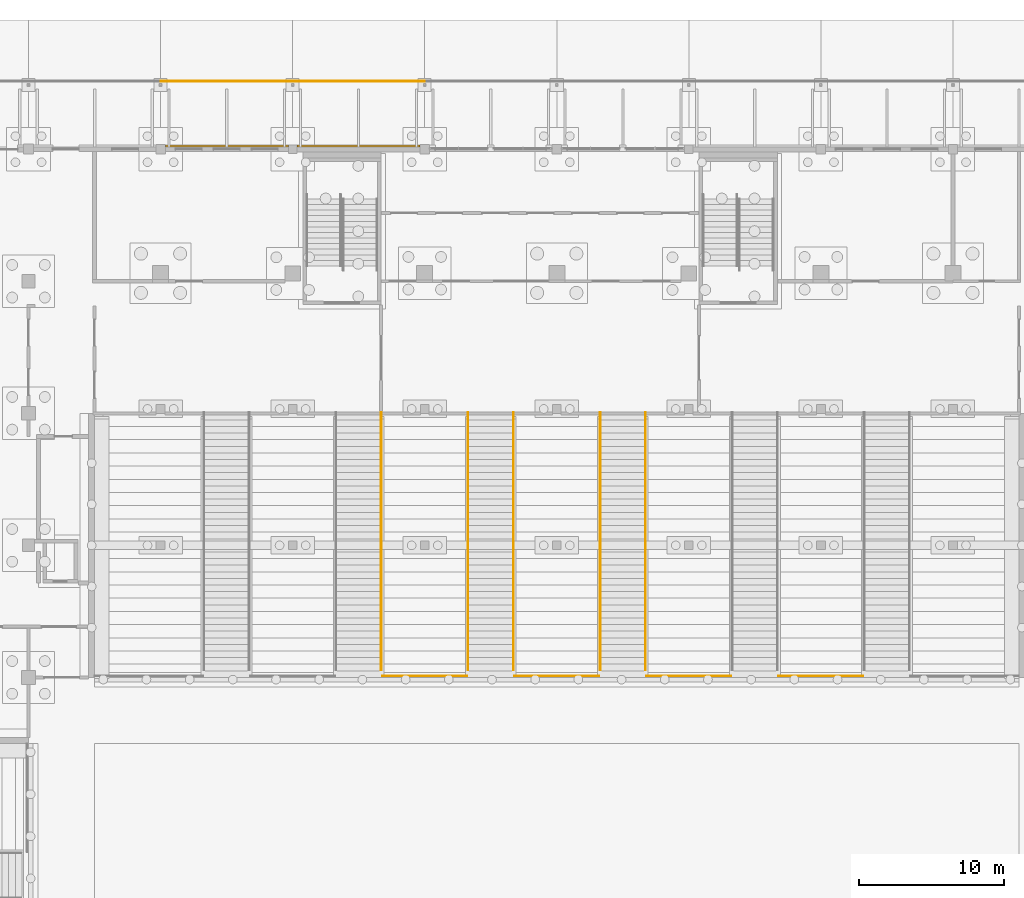
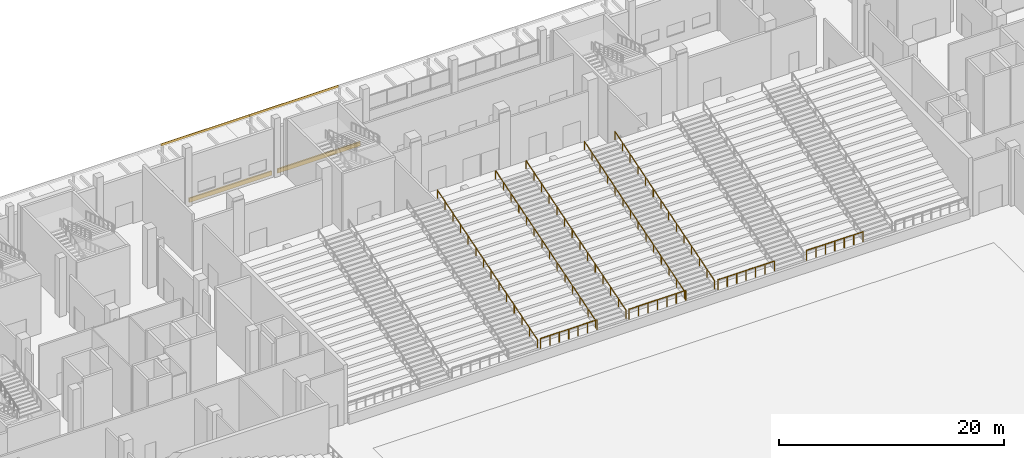
# One storey, part 113 of 129: 9 railings, 4 coverings.
"""IFC4 building model written with IfcOpenShell, lengths in metres."""

from ifc_helpers import new_model, si_unit, direction, frame, origin, origin_2d, place, context, subcontext, project, spatial, rectangle, circle, extrude, material, layer, layer_set, type_object, element, save


model = new_model("IFC4")

# Units and contexts
model_context = context("Model", 3, precision=1e-05, world=origin(), true_north=direction((0.0, 1.0)))
body_context = subcontext(model_context, "Body", "Model", "MODEL_VIEW")
ifc_project = project(units=[si_unit("LENGTHUNIT", "METRE"), si_unit("AREAUNIT", "SQUARE_METRE"), si_unit("VOLUMEUNIT", "CUBIC_METRE"), si_unit("PLANEANGLEUNIT", "RADIAN"), si_unit("MASSUNIT", "GRAM", prefix="KILO")], contexts=[model_context])

# Site, building, storey
site_placement = place(None, origin())
site = spatial("IfcSite", under=ifc_project, at=site_placement, CompositionType="ELEMENT")
building_placement = place(site_placement, origin())
building = spatial("IfcBuilding", under=site, at=building_placement, Name="Shirokan Park Arena", CompositionType="ELEMENT")
storey_placement = place(building_placement, origin())
storey = spatial("IfcBuildingStorey", under=building, at=storey_placement, Name="L00", CompositionType="ELEMENT", Elevation=0.0)

# Railings
ifc_material_1 = material(Name="Stainless steel", Category="steel")
railing_type_1 = type_object("IfcRailingType", Name="Aisle handrail 900", PredefinedType="HANDRAIL", material=ifc_material_1)
railing_1_placement = place(storey_placement, frame((60.7099609375, 73.304931640625, 0.909912109375)))
element("IfcRailing", 1, at=railing_1_placement, inside=storey, type_object=railing_type_1, Name="Handrail vomitory stair N2 lower", PredefinedType="HANDRAIL", context=body_context, shape_type="SweptSolid", body=[
    extrude(circle(Radius=0.02490234375, at=origin_2d()), frame((0.0, 0.0, 0.89013671875), z_axis=(0.0, 0.955745737905, 0.294193957241), x_axis=(-1.0, 0.0, 0.0)), (0.0, 0.0, 1.0), 1.42822265625),
    extrude(circle(Radius=0.02490234375, at=origin_2d()), frame((0.0, 1.364990234375, 1.310546875), z_axis=(0.0, 0.95579379257, 0.294037797035), x_axis=(-1.0, 0.0, 0.0)), (0.0, 0.0, 1.0), 1.42822265625),
    extrude(circle(Radius=0.02490234375, at=origin_2d()), frame((0.0, 2.72998046875, 1.73046875), z_axis=(0.0, 0.95579379257, 0.294037797035), x_axis=(-1.0, 0.0, 0.0)), (0.0, 0.0, 1.0), 1.42822265625),
    extrude(circle(Radius=0.02490234375, at=origin_2d()), frame((0.0, 4.094970703125, 2.150390625), z_axis=(0.0, 0.955745737905, 0.294193957241), x_axis=(-1.0, 0.0, 0.0)), (0.0, 0.0, 1.0), 1.42822265625),
    extrude(circle(Radius=0.02490234375, at=origin_2d()), frame((0.0, 5.4599609375, 2.5703125), z_axis=(0.0, 0.95579379257, 0.294037797035), x_axis=(-1.0, 0.0, 0.0)), (0.0, 0.0, 1.0), 1.42822265625),
    extrude(circle(Radius=0.02490234375, at=origin_2d()), frame((0.0, 6.824951171875, 2.990234375), z_axis=(0.0, 0.955808569173, 0.293989760189), x_axis=(-1.0, 0.0, 0.0)), (0.0, 0.0, 1.0), 1.428466796875),
    extrude(circle(Radius=0.02490234375, at=origin_2d()), frame((0.0, 8.190185546875, 3.41015625), z_axis=(0.0, 0.955745737905, 0.294193957241), x_axis=(-1.0, 0.0, 0.0)), (0.0, 0.0, 1.0), 1.42822265625),
    extrude(circle(Radius=0.02490234375, at=origin_2d()), frame((0.0, 9.55517578125, 3.83056640625), z_axis=(0.0, 0.95579379257, 0.294037797035), x_axis=(-1.0, 0.0, 0.0)), (0.0, 0.0, 1.0), 1.42822265625),
    extrude(circle(Radius=0.02490234375, at=origin_2d()), frame((0.0, 10.920166015625, 4.25048828125), z_axis=(0.0, 0.95579379257, 0.294037797035), x_axis=(-1.0, 0.0, 0.0)), (0.0, 0.0, 1.0), 1.42822265625),
    extrude(circle(Radius=0.02490234375, at=origin_2d()), frame((0.0, 12.28515625, 4.67041015625), z_axis=(0.0, 0.955745737905, 0.294193957241), x_axis=(-1.0, 0.0, 0.0)), (0.0, 0.0, 1.0), 1.42822265625),
    extrude(circle(Radius=0.02490234375, at=origin_2d()), frame((0.0, 13.650146484375, 5.09033203125), z_axis=(0.0, 0.95579379257, 0.294037797035), x_axis=(-1.0, 0.0, 0.0)), (0.0, 0.0, 1.0), 1.42822265625),
    extrude(circle(Radius=0.02490234375, at=origin_2d()), frame((0.0, 15.01513671875, 5.51025390625), z_axis=(0.0, 0.95579379257, 0.294037797035), x_axis=(-1.0, 0.0, 0.0)), (0.0, 0.0, 1.0), 1.42822265625),
    extrude(circle(Radius=0.02490234375, at=origin_2d()), frame((0.0, 16.380126953125, 5.93017578125), z_axis=(0.0, 0.955745737905, 0.294193957241), x_axis=(-1.0, 0.0, 0.0)), (0.0, 0.0, 1.0), 1.42822265625),
    extrude(circle(Radius=0.02490234375, at=origin_2d()), origin(), (0.0, 0.0, 1.0), 0.865234375),
    extrude(circle(Radius=0.02490234375, at=origin_2d()), frame((0.0, 1.364990234375, 0.420166015625)), (0.0, 0.0, 1.0), 0.865234375),
    extrude(circle(Radius=0.02490234375, at=origin_2d()), frame((0.0, 2.72998046875, 0.840087890625)), (0.0, 0.0, 1.0), 0.865234375),
    extrude(circle(Radius=0.02490234375, at=origin_2d()), frame((0.0, 4.094970703125, 1.260009765625)), (0.0, 0.0, 1.0), 0.865234375),
    extrude(circle(Radius=0.02490234375, at=origin_2d()), frame((0.0, 5.4599609375, 1.68017578125)), (0.0, 0.0, 1.0), 0.865234375),
    extrude(circle(Radius=0.02490234375, at=origin_2d()), frame((0.0, 6.824951171875, 2.10009765625)), (0.0, 0.0, 1.0), 0.865234375),
    extrude(circle(Radius=0.02490234375, at=origin_2d()), frame((0.0, 8.190185546875, 2.52001953125)), (0.0, 0.0, 1.0), 0.865234375),
    extrude(circle(Radius=0.02490234375, at=origin_2d()), frame((0.0, 9.55517578125, 2.940185546875)), (0.0, 0.0, 1.0), 0.865234375),
    extrude(circle(Radius=0.02490234375, at=origin_2d()), frame((0.0, 10.920166015625, 3.360107421875)), (0.0, 0.0, 1.0), 0.865234375),
    extrude(circle(Radius=0.02490234375, at=origin_2d()), frame((0.0, 12.28515625, 3.780029296875)), (0.0, 0.0, 1.0), 0.865234375),
    extrude(circle(Radius=0.02490234375, at=origin_2d()), frame((0.0, 13.650146484375, 4.2001953125)), (0.0, 0.0, 1.0), 0.865234375),
    extrude(circle(Radius=0.02490234375, at=origin_2d()), frame((0.0, 15.01513671875, 4.6201171875)), (0.0, 0.0, 1.0), 0.865234375),
    extrude(circle(Radius=0.02490234375, at=origin_2d()), frame((0.0, 16.380126953125, 5.0400390625)), (0.0, 0.0, 1.0), 0.865234375),
    extrude(circle(Radius=0.02490234375, at=origin_2d()), frame((0.0, 17.7451171875, 5.460205078125)), (0.0, 0.0, 1.0), 0.865234375),
])
railing_2_placement = place(storey_placement, frame((66.68994140625, 73.304931640625, 0.909912109375)))
element("IfcRailing", 2, at=railing_2_placement, inside=storey, type_object=railing_type_1, Name="Handrail vomitory stair N3 lower", PredefinedType="HANDRAIL", context=body_context, shape_type="SweptSolid", body=[
    extrude(circle(Radius=0.02490234375, at=origin_2d()), frame((0.0, 0.0, 0.89013671875), z_axis=(0.0, 0.955745737905, 0.294193957241), x_axis=(-1.0, 0.0, 0.0)), (0.0, 0.0, 1.0), 1.42822265625),
    extrude(circle(Radius=0.02490234375, at=origin_2d()), frame((0.0, 1.364990234375, 1.310546875), z_axis=(0.0, 0.95579379257, 0.294037797035), x_axis=(-1.0, 0.0, 0.0)), (0.0, 0.0, 1.0), 1.42822265625),
    extrude(circle(Radius=0.02490234375, at=origin_2d()), frame((0.0, 2.72998046875, 1.73046875), z_axis=(0.0, 0.95579379257, 0.294037797035), x_axis=(-1.0, 0.0, 0.0)), (0.0, 0.0, 1.0), 1.42822265625),
    extrude(circle(Radius=0.02490234375, at=origin_2d()), frame((0.0, 4.094970703125, 2.150390625), z_axis=(0.0, 0.955745737905, 0.294193957241), x_axis=(-1.0, 0.0, 0.0)), (0.0, 0.0, 1.0), 1.42822265625),
    extrude(circle(Radius=0.02490234375, at=origin_2d()), frame((0.0, 5.4599609375, 2.5703125), z_axis=(0.0, 0.95579379257, 0.294037797035), x_axis=(-1.0, 0.0, 0.0)), (0.0, 0.0, 1.0), 1.42822265625),
    extrude(circle(Radius=0.02490234375, at=origin_2d()), frame((0.0, 6.824951171875, 2.990234375), z_axis=(0.0, 0.955808569173, 0.293989760189), x_axis=(-1.0, 0.0, 0.0)), (0.0, 0.0, 1.0), 1.428466796875),
    extrude(circle(Radius=0.02490234375, at=origin_2d()), frame((0.0, 8.190185546875, 3.41015625), z_axis=(0.0, 0.955745737905, 0.294193957241), x_axis=(-1.0, 0.0, 0.0)), (0.0, 0.0, 1.0), 1.42822265625),
    extrude(circle(Radius=0.02490234375, at=origin_2d()), frame((0.0, 9.55517578125, 3.83056640625), z_axis=(0.0, 0.95579379257, 0.294037797035), x_axis=(-1.0, 0.0, 0.0)), (0.0, 0.0, 1.0), 1.42822265625),
    extrude(circle(Radius=0.02490234375, at=origin_2d()), frame((0.0, 10.920166015625, 4.25048828125), z_axis=(0.0, 0.95579379257, 0.294037797035), x_axis=(-1.0, 0.0, 0.0)), (0.0, 0.0, 1.0), 1.42822265625),
    extrude(circle(Radius=0.02490234375, at=origin_2d()), frame((0.0, 12.28515625, 4.67041015625), z_axis=(0.0, 0.955745737905, 0.294193957241), x_axis=(-1.0, 0.0, 0.0)), (0.0, 0.0, 1.0), 1.42822265625),
    extrude(circle(Radius=0.02490234375, at=origin_2d()), frame((0.0, 13.650146484375, 5.09033203125), z_axis=(0.0, 0.95579379257, 0.294037797035), x_axis=(-1.0, 0.0, 0.0)), (0.0, 0.0, 1.0), 1.42822265625),
    extrude(circle(Radius=0.02490234375, at=origin_2d()), frame((0.0, 15.01513671875, 5.51025390625), z_axis=(0.0, 0.95579379257, 0.294037797035), x_axis=(-1.0, 0.0, 0.0)), (0.0, 0.0, 1.0), 1.42822265625),
    extrude(circle(Radius=0.02490234375, at=origin_2d()), frame((0.0, 16.380126953125, 5.93017578125), z_axis=(0.0, 0.955745737905, 0.294193957241), x_axis=(-1.0, 0.0, 0.0)), (0.0, 0.0, 1.0), 1.42822265625),
    extrude(circle(Radius=0.02490234375, at=origin_2d()), origin(), (0.0, 0.0, 1.0), 0.865234375),
    extrude(circle(Radius=0.02490234375, at=origin_2d()), frame((0.0, 1.364990234375, 0.420166015625)), (0.0, 0.0, 1.0), 0.865234375),
    extrude(circle(Radius=0.02490234375, at=origin_2d()), frame((0.0, 2.72998046875, 0.840087890625)), (0.0, 0.0, 1.0), 0.865234375),
    extrude(circle(Radius=0.02490234375, at=origin_2d()), frame((0.0, 4.094970703125, 1.260009765625)), (0.0, 0.0, 1.0), 0.865234375),
    extrude(circle(Radius=0.02490234375, at=origin_2d()), frame((0.0, 5.4599609375, 1.68017578125)), (0.0, 0.0, 1.0), 0.865234375),
    extrude(circle(Radius=0.02490234375, at=origin_2d()), frame((0.0, 6.824951171875, 2.10009765625)), (0.0, 0.0, 1.0), 0.865234375),
    extrude(circle(Radius=0.02490234375, at=origin_2d()), frame((0.0, 8.190185546875, 2.52001953125)), (0.0, 0.0, 1.0), 0.865234375),
    extrude(circle(Radius=0.02490234375, at=origin_2d()), frame((0.0, 9.55517578125, 2.940185546875)), (0.0, 0.0, 1.0), 0.865234375),
    extrude(circle(Radius=0.02490234375, at=origin_2d()), frame((0.0, 10.920166015625, 3.360107421875)), (0.0, 0.0, 1.0), 0.865234375),
    extrude(circle(Radius=0.02490234375, at=origin_2d()), frame((0.0, 12.28515625, 3.780029296875)), (0.0, 0.0, 1.0), 0.865234375),
    extrude(circle(Radius=0.02490234375, at=origin_2d()), frame((0.0, 13.650146484375, 4.2001953125)), (0.0, 0.0, 1.0), 0.865234375),
    extrude(circle(Radius=0.02490234375, at=origin_2d()), frame((0.0, 15.01513671875, 4.6201171875)), (0.0, 0.0, 1.0), 0.865234375),
    extrude(circle(Radius=0.02490234375, at=origin_2d()), frame((0.0, 16.380126953125, 5.0400390625)), (0.0, 0.0, 1.0), 0.865234375),
    extrude(circle(Radius=0.02490234375, at=origin_2d()), frame((0.0, 17.7451171875, 5.460205078125)), (0.0, 0.0, 1.0), 0.865234375),
])
railing_3_placement = place(storey_placement, frame((69.81005859375, 73.304931640625, 0.909912109375)))
element("IfcRailing", 3, at=railing_3_placement, inside=storey, type_object=railing_type_1, Name="Handrail vomitory stair N3 lower", PredefinedType="HANDRAIL", context=body_context, shape_type="SweptSolid", body=[
    extrude(circle(Radius=0.02490234375, at=origin_2d()), frame((0.0, 0.0, 0.89013671875), z_axis=(0.0, 0.955745737905, 0.294193957241), x_axis=(-1.0, 0.0, 0.0)), (0.0, 0.0, 1.0), 1.42822265625),
    extrude(circle(Radius=0.02490234375, at=origin_2d()), frame((0.0, 1.364990234375, 1.310546875), z_axis=(0.0, 0.95579379257, 0.294037797035), x_axis=(-1.0, 0.0, 0.0)), (0.0, 0.0, 1.0), 1.42822265625),
    extrude(circle(Radius=0.02490234375, at=origin_2d()), frame((0.0, 2.72998046875, 1.73046875), z_axis=(0.0, 0.95579379257, 0.294037797035), x_axis=(-1.0, 0.0, 0.0)), (0.0, 0.0, 1.0), 1.42822265625),
    extrude(circle(Radius=0.02490234375, at=origin_2d()), frame((0.0, 4.094970703125, 2.150390625), z_axis=(0.0, 0.955745737905, 0.294193957241), x_axis=(-1.0, 0.0, 0.0)), (0.0, 0.0, 1.0), 1.42822265625),
    extrude(circle(Radius=0.02490234375, at=origin_2d()), frame((0.0, 5.4599609375, 2.5703125), z_axis=(0.0, 0.95579379257, 0.294037797035), x_axis=(-1.0, 0.0, 0.0)), (0.0, 0.0, 1.0), 1.42822265625),
    extrude(circle(Radius=0.02490234375, at=origin_2d()), frame((0.0, 6.824951171875, 2.990234375), z_axis=(0.0, 0.955808569173, 0.293989760189), x_axis=(-1.0, 0.0, 0.0)), (0.0, 0.0, 1.0), 1.428466796875),
    extrude(circle(Radius=0.02490234375, at=origin_2d()), frame((0.0, 8.190185546875, 3.41015625), z_axis=(0.0, 0.955745737905, 0.294193957241), x_axis=(-1.0, 0.0, 0.0)), (0.0, 0.0, 1.0), 1.42822265625),
    extrude(circle(Radius=0.02490234375, at=origin_2d()), frame((0.0, 9.55517578125, 3.83056640625), z_axis=(0.0, 0.95579379257, 0.294037797035), x_axis=(-1.0, 0.0, 0.0)), (0.0, 0.0, 1.0), 1.42822265625),
    extrude(circle(Radius=0.02490234375, at=origin_2d()), frame((0.0, 10.920166015625, 4.25048828125), z_axis=(0.0, 0.95579379257, 0.294037797035), x_axis=(-1.0, 0.0, 0.0)), (0.0, 0.0, 1.0), 1.42822265625),
    extrude(circle(Radius=0.02490234375, at=origin_2d()), frame((0.0, 12.28515625, 4.67041015625), z_axis=(0.0, 0.955745737905, 0.294193957241), x_axis=(-1.0, 0.0, 0.0)), (0.0, 0.0, 1.0), 1.42822265625),
    extrude(circle(Radius=0.02490234375, at=origin_2d()), frame((0.0, 13.650146484375, 5.09033203125), z_axis=(0.0, 0.95579379257, 0.294037797035), x_axis=(-1.0, 0.0, 0.0)), (0.0, 0.0, 1.0), 1.42822265625),
    extrude(circle(Radius=0.02490234375, at=origin_2d()), frame((0.0, 15.01513671875, 5.51025390625), z_axis=(0.0, 0.95579379257, 0.294037797035), x_axis=(-1.0, 0.0, 0.0)), (0.0, 0.0, 1.0), 1.42822265625),
    extrude(circle(Radius=0.02490234375, at=origin_2d()), frame((0.0, 16.380126953125, 5.93017578125), z_axis=(0.0, 0.955745737905, 0.294193957241), x_axis=(-1.0, 0.0, 0.0)), (0.0, 0.0, 1.0), 1.42822265625),
    extrude(circle(Radius=0.02490234375, at=origin_2d()), origin(), (0.0, 0.0, 1.0), 0.865234375),
    extrude(circle(Radius=0.02490234375, at=origin_2d()), frame((0.0, 1.364990234375, 0.420166015625)), (0.0, 0.0, 1.0), 0.865234375),
    extrude(circle(Radius=0.02490234375, at=origin_2d()), frame((0.0, 2.72998046875, 0.840087890625)), (0.0, 0.0, 1.0), 0.865234375),
    extrude(circle(Radius=0.02490234375, at=origin_2d()), frame((0.0, 4.094970703125, 1.260009765625)), (0.0, 0.0, 1.0), 0.865234375),
    extrude(circle(Radius=0.02490234375, at=origin_2d()), frame((0.0, 5.4599609375, 1.68017578125)), (0.0, 0.0, 1.0), 0.865234375),
    extrude(circle(Radius=0.02490234375, at=origin_2d()), frame((0.0, 6.824951171875, 2.10009765625)), (0.0, 0.0, 1.0), 0.865234375),
    extrude(circle(Radius=0.02490234375, at=origin_2d()), frame((0.0, 8.190185546875, 2.52001953125)), (0.0, 0.0, 1.0), 0.865234375),
    extrude(circle(Radius=0.02490234375, at=origin_2d()), frame((0.0, 9.55517578125, 2.940185546875)), (0.0, 0.0, 1.0), 0.865234375),
    extrude(circle(Radius=0.02490234375, at=origin_2d()), frame((0.0, 10.920166015625, 3.360107421875)), (0.0, 0.0, 1.0), 0.865234375),
    extrude(circle(Radius=0.02490234375, at=origin_2d()), frame((0.0, 12.28515625, 3.780029296875)), (0.0, 0.0, 1.0), 0.865234375),
    extrude(circle(Radius=0.02490234375, at=origin_2d()), frame((0.0, 13.650146484375, 4.2001953125)), (0.0, 0.0, 1.0), 0.865234375),
    extrude(circle(Radius=0.02490234375, at=origin_2d()), frame((0.0, 15.01513671875, 4.6201171875)), (0.0, 0.0, 1.0), 0.865234375),
    extrude(circle(Radius=0.02490234375, at=origin_2d()), frame((0.0, 16.380126953125, 5.0400390625)), (0.0, 0.0, 1.0), 0.865234375),
    extrude(circle(Radius=0.02490234375, at=origin_2d()), frame((0.0, 17.7451171875, 5.460205078125)), (0.0, 0.0, 1.0), 0.865234375),
])
railing_4_placement = place(storey_placement, frame((75.7900390625, 73.304931640625, 0.909912109375)))
element("IfcRailing", 4, at=railing_4_placement, inside=storey, type_object=railing_type_1, Name="Handrail vomitory stair N4 lower", PredefinedType="HANDRAIL", context=body_context, shape_type="SweptSolid", body=[
    extrude(circle(Radius=0.02490234375, at=origin_2d()), frame((0.0, 0.0, 0.89013671875), z_axis=(0.0, 0.955745737905, 0.294193957241), x_axis=(-1.0, 0.0, 0.0)), (0.0, 0.0, 1.0), 1.42822265625),
    extrude(circle(Radius=0.02490234375, at=origin_2d()), frame((0.0, 1.364990234375, 1.310546875), z_axis=(0.0, 0.95579379257, 0.294037797035), x_axis=(-1.0, 0.0, 0.0)), (0.0, 0.0, 1.0), 1.42822265625),
    extrude(circle(Radius=0.02490234375, at=origin_2d()), frame((0.0, 2.72998046875, 1.73046875), z_axis=(0.0, 0.95579379257, 0.294037797035), x_axis=(-1.0, 0.0, 0.0)), (0.0, 0.0, 1.0), 1.42822265625),
    extrude(circle(Radius=0.02490234375, at=origin_2d()), frame((0.0, 4.094970703125, 2.150390625), z_axis=(0.0, 0.955745737905, 0.294193957241), x_axis=(-1.0, 0.0, 0.0)), (0.0, 0.0, 1.0), 1.42822265625),
    extrude(circle(Radius=0.02490234375, at=origin_2d()), frame((0.0, 5.4599609375, 2.5703125), z_axis=(0.0, 0.95579379257, 0.294037797035), x_axis=(-1.0, 0.0, 0.0)), (0.0, 0.0, 1.0), 1.42822265625),
    extrude(circle(Radius=0.02490234375, at=origin_2d()), frame((0.0, 6.824951171875, 2.990234375), z_axis=(0.0, 0.955808569173, 0.293989760189), x_axis=(-1.0, 0.0, 0.0)), (0.0, 0.0, 1.0), 1.428466796875),
    extrude(circle(Radius=0.02490234375, at=origin_2d()), frame((0.0, 8.190185546875, 3.41015625), z_axis=(0.0, 0.955745737905, 0.294193957241), x_axis=(-1.0, 0.0, 0.0)), (0.0, 0.0, 1.0), 1.42822265625),
    extrude(circle(Radius=0.02490234375, at=origin_2d()), frame((0.0, 9.55517578125, 3.83056640625), z_axis=(0.0, 0.95579379257, 0.294037797035), x_axis=(-1.0, 0.0, 0.0)), (0.0, 0.0, 1.0), 1.42822265625),
    extrude(circle(Radius=0.02490234375, at=origin_2d()), frame((0.0, 10.920166015625, 4.25048828125), z_axis=(0.0, 0.95579379257, 0.294037797035), x_axis=(-1.0, 0.0, 0.0)), (0.0, 0.0, 1.0), 1.42822265625),
    extrude(circle(Radius=0.02490234375, at=origin_2d()), frame((0.0, 12.28515625, 4.67041015625), z_axis=(0.0, 0.955745737905, 0.294193957241), x_axis=(-1.0, 0.0, 0.0)), (0.0, 0.0, 1.0), 1.42822265625),
    extrude(circle(Radius=0.02490234375, at=origin_2d()), frame((0.0, 13.650146484375, 5.09033203125), z_axis=(0.0, 0.95579379257, 0.294037797035), x_axis=(-1.0, 0.0, 0.0)), (0.0, 0.0, 1.0), 1.42822265625),
    extrude(circle(Radius=0.02490234375, at=origin_2d()), frame((0.0, 15.01513671875, 5.51025390625), z_axis=(0.0, 0.95579379257, 0.294037797035), x_axis=(-1.0, 0.0, 0.0)), (0.0, 0.0, 1.0), 1.42822265625),
    extrude(circle(Radius=0.02490234375, at=origin_2d()), frame((0.0, 16.380126953125, 5.93017578125), z_axis=(0.0, 0.955745737905, 0.294193957241), x_axis=(-1.0, 0.0, 0.0)), (0.0, 0.0, 1.0), 1.42822265625),
    extrude(circle(Radius=0.02490234375, at=origin_2d()), origin(), (0.0, 0.0, 1.0), 0.865234375),
    extrude(circle(Radius=0.02490234375, at=origin_2d()), frame((0.0, 1.364990234375, 0.420166015625)), (0.0, 0.0, 1.0), 0.865234375),
    extrude(circle(Radius=0.02490234375, at=origin_2d()), frame((0.0, 2.72998046875, 0.840087890625)), (0.0, 0.0, 1.0), 0.865234375),
    extrude(circle(Radius=0.02490234375, at=origin_2d()), frame((0.0, 4.094970703125, 1.260009765625)), (0.0, 0.0, 1.0), 0.865234375),
    extrude(circle(Radius=0.02490234375, at=origin_2d()), frame((0.0, 5.4599609375, 1.68017578125)), (0.0, 0.0, 1.0), 0.865234375),
    extrude(circle(Radius=0.02490234375, at=origin_2d()), frame((0.0, 6.824951171875, 2.10009765625)), (0.0, 0.0, 1.0), 0.865234375),
    extrude(circle(Radius=0.02490234375, at=origin_2d()), frame((0.0, 8.190185546875, 2.52001953125)), (0.0, 0.0, 1.0), 0.865234375),
    extrude(circle(Radius=0.02490234375, at=origin_2d()), frame((0.0, 9.55517578125, 2.940185546875)), (0.0, 0.0, 1.0), 0.865234375),
    extrude(circle(Radius=0.02490234375, at=origin_2d()), frame((0.0, 10.920166015625, 3.360107421875)), (0.0, 0.0, 1.0), 0.865234375),
    extrude(circle(Radius=0.02490234375, at=origin_2d()), frame((0.0, 12.28515625, 3.780029296875)), (0.0, 0.0, 1.0), 0.865234375),
    extrude(circle(Radius=0.02490234375, at=origin_2d()), frame((0.0, 13.650146484375, 4.2001953125)), (0.0, 0.0, 1.0), 0.865234375),
    extrude(circle(Radius=0.02490234375, at=origin_2d()), frame((0.0, 15.01513671875, 4.6201171875)), (0.0, 0.0, 1.0), 0.865234375),
    extrude(circle(Radius=0.02490234375, at=origin_2d()), frame((0.0, 16.380126953125, 5.0400390625)), (0.0, 0.0, 1.0), 0.865234375),
    extrude(circle(Radius=0.02490234375, at=origin_2d()), frame((0.0, 17.7451171875, 5.460205078125)), (0.0, 0.0, 1.0), 0.865234375),
])
railing_5_placement = place(storey_placement, frame((78.909912109375, 73.304931640625, 0.909912109375)))
element("IfcRailing", 5, at=railing_5_placement, inside=storey, type_object=railing_type_1, Name="Handrail vomitory stair N4 lower", PredefinedType="HANDRAIL", context=body_context, shape_type="SweptSolid", body=[
    extrude(circle(Radius=0.02490234375, at=origin_2d()), frame((0.0, 0.0, 0.89013671875), z_axis=(0.0, 0.955745737905, 0.294193957241), x_axis=(-1.0, 0.0, 0.0)), (0.0, 0.0, 1.0), 1.42822265625),
    extrude(circle(Radius=0.02490234375, at=origin_2d()), frame((0.0, 1.364990234375, 1.310546875), z_axis=(0.0, 0.95579379257, 0.294037797035), x_axis=(-1.0, 0.0, 0.0)), (0.0, 0.0, 1.0), 1.42822265625),
    extrude(circle(Radius=0.02490234375, at=origin_2d()), frame((0.0, 2.72998046875, 1.73046875), z_axis=(0.0, 0.95579379257, 0.294037797035), x_axis=(-1.0, 0.0, 0.0)), (0.0, 0.0, 1.0), 1.42822265625),
    extrude(circle(Radius=0.02490234375, at=origin_2d()), frame((0.0, 4.094970703125, 2.150390625), z_axis=(0.0, 0.955745737905, 0.294193957241), x_axis=(-1.0, 0.0, 0.0)), (0.0, 0.0, 1.0), 1.42822265625),
    extrude(circle(Radius=0.02490234375, at=origin_2d()), frame((0.0, 5.4599609375, 2.5703125), z_axis=(0.0, 0.95579379257, 0.294037797035), x_axis=(-1.0, 0.0, 0.0)), (0.0, 0.0, 1.0), 1.42822265625),
    extrude(circle(Radius=0.02490234375, at=origin_2d()), frame((0.0, 6.824951171875, 2.990234375), z_axis=(0.0, 0.955808569173, 0.293989760189), x_axis=(-1.0, 0.0, 0.0)), (0.0, 0.0, 1.0), 1.428466796875),
    extrude(circle(Radius=0.02490234375, at=origin_2d()), frame((0.0, 8.190185546875, 3.41015625), z_axis=(0.0, 0.955745737905, 0.294193957241), x_axis=(-1.0, 0.0, 0.0)), (0.0, 0.0, 1.0), 1.42822265625),
    extrude(circle(Radius=0.02490234375, at=origin_2d()), frame((0.0, 9.55517578125, 3.83056640625), z_axis=(0.0, 0.95579379257, 0.294037797035), x_axis=(-1.0, 0.0, 0.0)), (0.0, 0.0, 1.0), 1.42822265625),
    extrude(circle(Radius=0.02490234375, at=origin_2d()), frame((0.0, 10.920166015625, 4.25048828125), z_axis=(0.0, 0.95579379257, 0.294037797035), x_axis=(-1.0, 0.0, 0.0)), (0.0, 0.0, 1.0), 1.42822265625),
    extrude(circle(Radius=0.02490234375, at=origin_2d()), frame((0.0, 12.28515625, 4.67041015625), z_axis=(0.0, 0.955745737905, 0.294193957241), x_axis=(-1.0, 0.0, 0.0)), (0.0, 0.0, 1.0), 1.42822265625),
    extrude(circle(Radius=0.02490234375, at=origin_2d()), frame((0.0, 13.650146484375, 5.09033203125), z_axis=(0.0, 0.95579379257, 0.294037797035), x_axis=(-1.0, 0.0, 0.0)), (0.0, 0.0, 1.0), 1.42822265625),
    extrude(circle(Radius=0.02490234375, at=origin_2d()), frame((0.0, 15.01513671875, 5.51025390625), z_axis=(0.0, 0.95579379257, 0.294037797035), x_axis=(-1.0, 0.0, 0.0)), (0.0, 0.0, 1.0), 1.42822265625),
    extrude(circle(Radius=0.02490234375, at=origin_2d()), frame((0.0, 16.380126953125, 5.93017578125), z_axis=(0.0, 0.955745737905, 0.294193957241), x_axis=(-1.0, 0.0, 0.0)), (0.0, 0.0, 1.0), 1.42822265625),
    extrude(circle(Radius=0.02490234375, at=origin_2d()), origin(), (0.0, 0.0, 1.0), 0.865234375),
    extrude(circle(Radius=0.02490234375, at=origin_2d()), frame((0.0, 1.364990234375, 0.420166015625)), (0.0, 0.0, 1.0), 0.865234375),
    extrude(circle(Radius=0.02490234375, at=origin_2d()), frame((0.0, 2.72998046875, 0.840087890625)), (0.0, 0.0, 1.0), 0.865234375),
    extrude(circle(Radius=0.02490234375, at=origin_2d()), frame((0.0, 4.094970703125, 1.260009765625)), (0.0, 0.0, 1.0), 0.865234375),
    extrude(circle(Radius=0.02490234375, at=origin_2d()), frame((0.0, 5.4599609375, 1.68017578125)), (0.0, 0.0, 1.0), 0.865234375),
    extrude(circle(Radius=0.02490234375, at=origin_2d()), frame((0.0, 6.824951171875, 2.10009765625)), (0.0, 0.0, 1.0), 0.865234375),
    extrude(circle(Radius=0.02490234375, at=origin_2d()), frame((0.0, 8.190185546875, 2.52001953125)), (0.0, 0.0, 1.0), 0.865234375),
    extrude(circle(Radius=0.02490234375, at=origin_2d()), frame((0.0, 9.55517578125, 2.940185546875)), (0.0, 0.0, 1.0), 0.865234375),
    extrude(circle(Radius=0.02490234375, at=origin_2d()), frame((0.0, 10.920166015625, 3.360107421875)), (0.0, 0.0, 1.0), 0.865234375),
    extrude(circle(Radius=0.02490234375, at=origin_2d()), frame((0.0, 12.28515625, 3.780029296875)), (0.0, 0.0, 1.0), 0.865234375),
    extrude(circle(Radius=0.02490234375, at=origin_2d()), frame((0.0, 13.650146484375, 4.2001953125)), (0.0, 0.0, 1.0), 0.865234375),
    extrude(circle(Radius=0.02490234375, at=origin_2d()), frame((0.0, 15.01513671875, 4.6201171875)), (0.0, 0.0, 1.0), 0.865234375),
    extrude(circle(Radius=0.02490234375, at=origin_2d()), frame((0.0, 16.380126953125, 5.0400390625)), (0.0, 0.0, 1.0), 0.865234375),
    extrude(circle(Radius=0.02490234375, at=origin_2d()), frame((0.0, 17.7451171875, 5.460205078125)), (0.0, 0.0, 1.0), 0.865234375),
])

# Coverings
ifc_material_2 = material(Name="Timber fascia (cedar)", Category="wood")
ifc_layer_1 = layer(ifc_material_2, 0.050048828125)
ifc_layer_set_1 = layer_set([ifc_layer_1], Name="Timber fascia (cedar) 50 mm")
covering_type_1 = type_object("IfcCoveringType", Name="Canopy fascia 50x250", PredefinedType="CLADDING", material=ifc_layer_set_1)
for number, where, z_axis, x_axis, name in (
    (6, (59.14990234375, 113.875, 3.5), (0.0, 0.0, 1.0), (-1.0, 0.0, 0.0), "Canopy fascia north bay 10"),
    (7, (50.050048828125, 113.875, 3.5), (0.0, 0.0, 1.0), (-1.0, 0.0, 0.0), "Canopy fascia north bay 11"),
):
    element("IfcCovering", number, at=place(storey_placement, frame(where, z_axis=z_axis, x_axis=x_axis)), inside=storey, type_object=covering_type_1, Name=name, PredefinedType="CLADDING", context=body_context, shape_type="SweptSolid", body=[
        extrude(rectangle(XDim=9.10009765625, YDim=0.050048828125, at=origin_2d()), origin(), (0.0, 0.0, 1.0), 0.25),
    ])

# Railings
railing_type_2 = type_object("IfcRailingType", Name="Crowd barrier 1100", PredefinedType="GUARDRAIL", material=ifc_material_1)
for number, where, name in (
    (8, (60.800048828125, 72.89990234375, 1.050048828125), "Crowd barrier N3 lower tier"),
    (9, (69.89990234375, 72.89990234375, 1.050048828125), "Crowd barrier N4 lower tier"),
    (10, (79.0, 72.89990234375, 1.050048828125), "Crowd barrier N5 lower tier"),
):
    element("IfcRailing", number, at=place(storey_placement, frame(where)), inside=storey, type_object=railing_type_2, Name=name, PredefinedType="GUARDRAIL", context=body_context, shape_type="SweptSolid", body=[
        extrude(circle(Radius=0.030029296875, at=origin_2d()), frame((0.0, 0.0, 1.072021484375), z_axis=(1.0, 0.0, 0.0), x_axis=(0.0, 1.0, 0.0)), (0.0, 0.0, 1.0), 5.800048828125),
        extrude(circle(Radius=0.030029296875, at=origin_2d()), origin(), (0.0, 0.0, 1.0), 1.0419921875),
        extrude(circle(Radius=0.030029296875, at=origin_2d()), frame((0.966796875, 0.0, 0.0)), (0.0, 0.0, 1.0), 1.0419921875),
        extrude(circle(Radius=0.030029296875, at=origin_2d()), frame((1.933349609375, 0.0, 0.0)), (0.0, 0.0, 1.0), 1.0419921875),
        extrude(circle(Radius=0.030029296875, at=origin_2d()), frame((2.89990234375, 0.0, 0.0)), (0.0, 0.0, 1.0), 1.0419921875),
        extrude(circle(Radius=0.030029296875, at=origin_2d()), frame((3.86669921875, 0.0, 0.0)), (0.0, 0.0, 1.0), 1.0419921875),
        extrude(circle(Radius=0.030029296875, at=origin_2d()), frame((4.83349609375, 0.0, 0.0)), (0.0, 0.0, 1.0), 1.0419921875),
        extrude(circle(Radius=0.030029296875, at=origin_2d()), frame((5.800048828125, 0.0, 0.0)), (0.0, 0.0, 1.0), 1.0419921875),
    ])
railing_6_placement = place(storey_placement, frame((88.10009765625, 72.89990234375, 1.050048828125)))
element("IfcRailing", 11, at=railing_6_placement, inside=storey, type_object=railing_type_2, Name="Crowd barrier N6 lower tier", PredefinedType="GUARDRAIL", context=body_context, shape_type="SweptSolid", body=[
    extrude(circle(Radius=0.030029296875, at=origin_2d()), frame((0.0, 0.0, 1.072021484375), z_axis=(1.0, 0.0, 0.0), x_axis=(0.0, 1.0, 0.0)), (0.0, 0.0, 1.0), 5.7998046875),
    extrude(circle(Radius=0.030029296875, at=origin_2d()), origin(), (0.0, 0.0, 1.0), 1.0419921875),
    extrude(circle(Radius=0.030029296875, at=origin_2d()), frame((0.966552734375, 0.0, 0.0)), (0.0, 0.0, 1.0), 1.0419921875),
    extrude(circle(Radius=0.030029296875, at=origin_2d()), frame((1.933349609375, 0.0, 0.0)), (0.0, 0.0, 1.0), 1.0419921875),
    extrude(circle(Radius=0.030029296875, at=origin_2d()), frame((2.89990234375, 0.0, 0.0)), (0.0, 0.0, 1.0), 1.0419921875),
    extrude(circle(Radius=0.030029296875, at=origin_2d()), frame((3.866455078125, 0.0, 0.0)), (0.0, 0.0, 1.0), 1.0419921875),
    extrude(circle(Radius=0.030029296875, at=origin_2d()), frame((4.833251953125, 0.0, 0.0)), (0.0, 0.0, 1.0), 1.0419921875),
    extrude(circle(Radius=0.030029296875, at=origin_2d()), frame((5.7998046875, 0.0, 0.0)), (0.0, 0.0, 1.0), 1.0419921875),
])

# Coverings
ifc_material_3 = material(Name="Natural stone", Category="masonry")
ifc_layer_2 = layer(ifc_material_3, 0.14990234375)
ifc_layer_set_2 = layer_set([ifc_layer_2], Name="Natural stone 150 mm")
covering_type_2 = type_object("IfcCoveringType", Name="Stone plinth 150x450", PredefinedType="CLADDING", material=ifc_layer_set_2)
for number, where, z_axis, x_axis, name in (
    (12, (59.137451171875, 109.425048828125, 0.0), (0.0, 0.0, 1.0), (-1.0, 0.0, 0.0), "Stone plinth north bay 10"),
    (13, (50.0625, 109.425048828125, 0.0), (0.0, 0.0, 1.0), (-1.0, 0.0, 0.0), "Stone plinth north bay 11"),
):
    element("IfcCovering", number, at=place(storey_placement, frame(where, z_axis=z_axis, x_axis=x_axis)), inside=storey, type_object=covering_type_2, Name=name, PredefinedType="CLADDING", context=body_context, shape_type="SweptSolid", body=[
        extrude(rectangle(XDim=8.47509765625, YDim=0.14990234375, at=origin_2d()), origin(), (0.0, 0.0, 1.0), 0.449951171875),
    ])

save(model, "model.ifc")
